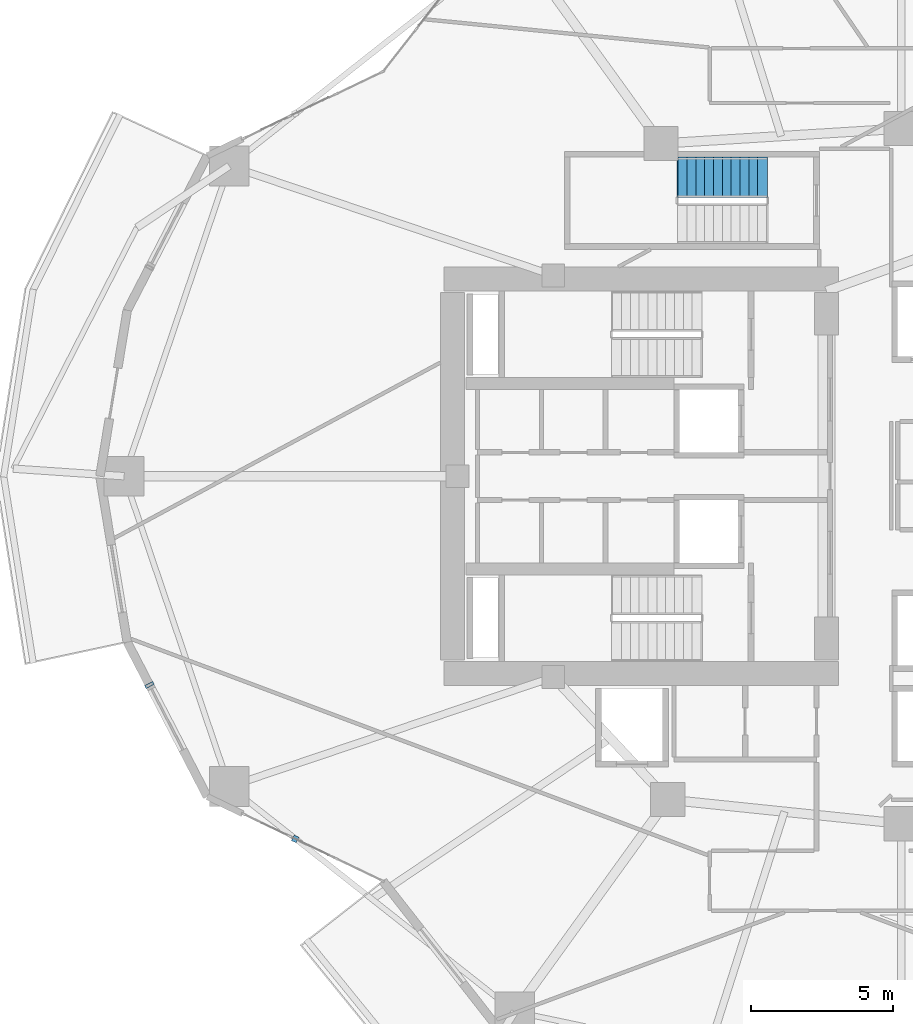
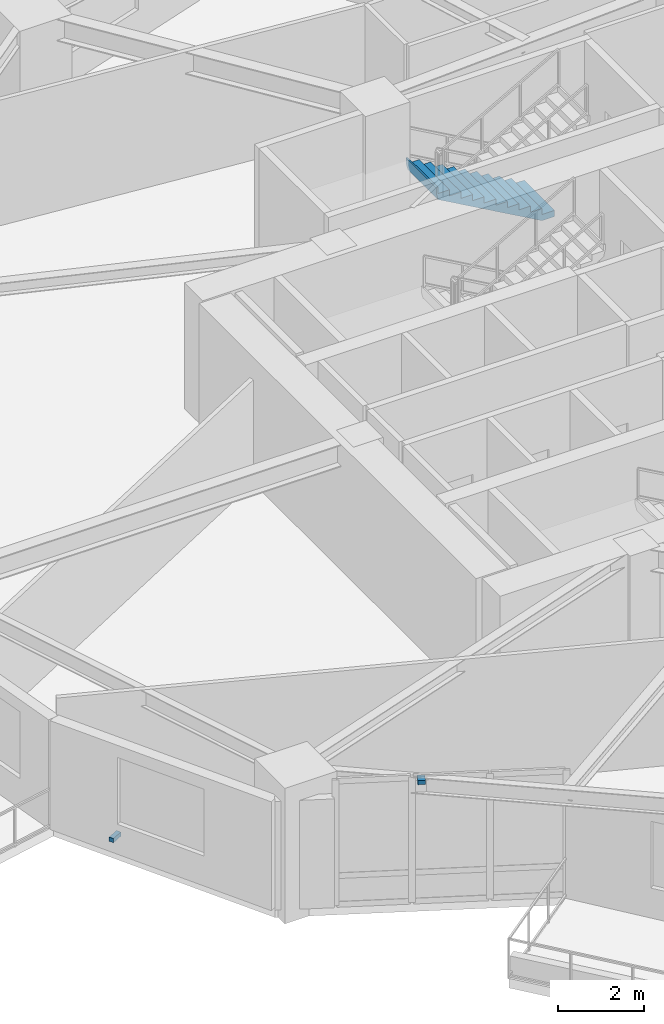
# One storey, part 11 of 19: 2 discrete accessories, 1 stair flight, 1 element without a shape of its own.
"""IFC4 building model written with IfcOpenShell, lengths in metres."""

from ifc_helpers import new_model, si_unit, direction, frame, origin, origin_2d, place, context, subcontext, project, spatial, polyline, rectangle, outline, extrude, material, type_object, element, aggregate, save


model = new_model("IFC4")

# Units and contexts
model_context = context("Model", 3, precision=1e-05, world=origin(), true_north=direction((0.0, 1.0)))
body_context = subcontext(model_context, "Body", "Model", "MODEL_VIEW")
ifc_project = project(units=[si_unit("LENGTHUNIT", "METRE"), si_unit("AREAUNIT", "SQUARE_METRE"), si_unit("VOLUMEUNIT", "CUBIC_METRE"), si_unit("PLANEANGLEUNIT", "RADIAN"), si_unit("MASSUNIT", "GRAM", prefix="KILO")], contexts=[model_context])

# Site, building, storey
site_placement = place(None, origin())
site = spatial("IfcSite", under=ifc_project, at=site_placement, CompositionType="ELEMENT")
building_placement = place(site_placement, origin())
building = spatial("IfcBuilding", under=site, at=building_placement, Name="Kolvaren Gate Tower and Convention Centre", CompositionType="ELEMENT")
storey_placement = place(building_placement, frame((0.0, 0.0, 38.050048828125)))
storey = spatial("IfcBuildingStorey", under=building, at=storey_placement, Name="L08", CompositionType="ELEMENT", Elevation=38.050048828125)

# Stair, stair flight
ifc_material_1 = material(Name="Concrete C50/60", Category="concrete")
stair_type = type_object("IfcStairType", Name="STR-STAIR-CORE", PredefinedType="HALF_TURN_STAIR", material=ifc_material_1)
stair_placement = place(storey_placement, origin())
stair = element("IfcStair", 1, at=stair_placement, inside=storey, type_object=stair_type, Name="L08 Tower Mid-Zone Exit Stair ST-T3", PredefinedType="HALF_TURN_STAIR")
stair_flight_type = type_object("IfcStairFlightType", Name="STR-SFL-1420", PredefinedType="STRAIGHT", material=ifc_material_1)
stair_flight_placement = place(storey_placement, frame((25.39990234375, 37.489990234375, 0.0), z_axis=(0.0, 0.0, 1.0), x_axis=(-1.0, 0.0, 0.0)))
stair_flight = element("IfcStairFlight", 2, at=stair_flight_placement, type_object=stair_flight_type, Name="ST-T3 flight 1", NumberOfRisers=11, NumberOfTreads=10, PredefinedType="STRAIGHT", RiserHeight=0.175, TreadLength=0.31, context=body_context, shape_type="SweptSolid", body=[
    extrude(outline(polyline([(-0.034912109375, 0.0), (-0.034912109375, 0.175048828125), (0.31005859375, 0.175048828125), (0.31005859375, 0.35009765625), (0.6201171875, 0.35009765625), (0.6201171875, 0.52490234375), (0.929931640625, 0.52490234375), (0.929931640625, 0.699951171875), (1.239990234375, 0.699951171875), (1.239990234375, 0.875), (1.550048828125, 0.875), (1.550048828125, 1.050048828125), (1.860107421875, 1.050048828125), (1.860107421875, 1.22509765625), (2.169921875, 1.22509765625), (2.169921875, 1.39990234375), (2.47998046875, 1.39990234375), (2.47998046875, 1.574951171875), (2.7900390625, 1.574951171875), (2.7900390625, 1.75), (3.10009765625, 1.75), (3.10009765625, 1.925048828125), (3.14501953125, 1.925048828125), (3.14501953125, 1.764892578125), (3.10009765625, 1.577880859375), (0.304931640625, 0.0), (-0.034912109375, 0.0)])), frame((0.0, 0.7099609375, 0.0), z_axis=(0.0, -1.0, 0.0), x_axis=(1.0, 0.0, 0.0)), (0.0, 0.0, 1.0), 1.419921875),
])
aggregate(stair, [stair_flight])

# Discrete accessories
ifc_material_2 = material(Name="Anodized Architectural Aluminium Alloy 6063-T6", Category="aluminium")
discrete_accessory_type = type_object("IfcDiscreteAccessoryType", Name="ARCH-ACC-BRACKET-120", PredefinedType="BRACKET", material=ifc_material_2)
discrete_accessory_1_placement = place(storey_placement, frame((3.737548828125, 19.67138671875, 0.289794921875), z_axis=(0.0, 0.0, 1.0), x_axis=(0.459789110083, -0.888028138208, 0.0)))
element("IfcDiscreteAccessory", 3, at=discrete_accessory_1_placement, inside=storey, type_object=discrete_accessory_type, Name="Ceramic Fin Wall Anchor Bracket FBK-L08-13", PredefinedType="BRACKET", context=body_context, shape_type="SweptSolid", body=[
    extrude(rectangle(XDim=0.1201171875, YDim=0.320068359375, at=origin_2d()), origin(), (0.0, 0.0, 1.0), 0.1201171875),
])
discrete_accessory_2_placement = place(storey_placement, frame((8.851318359375, 14.2685546875, 3.389892578125), z_axis=(0.0, 0.0, 1.0), x_axis=(0.90136443672, -0.433061372343, 0.0)))
element("IfcDiscreteAccessory", 4, at=discrete_accessory_2_placement, inside=storey, type_object=discrete_accessory_type, Name="Solar Screen Spandrel Anchor Bracket BK-L08-14", PredefinedType="BRACKET", context=body_context, shape_type="SweptSolid", body=[
    extrude(rectangle(XDim=0.179931640625, YDim=0.219970703125, at=origin_2d()), origin(), (0.0, 0.0, 1.0), 0.1201171875),
])

save(model, "model.ifc")
